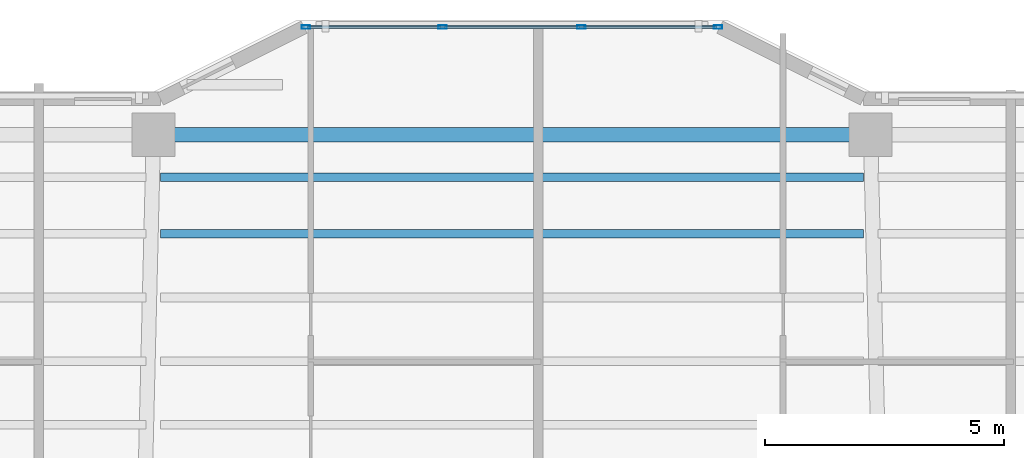
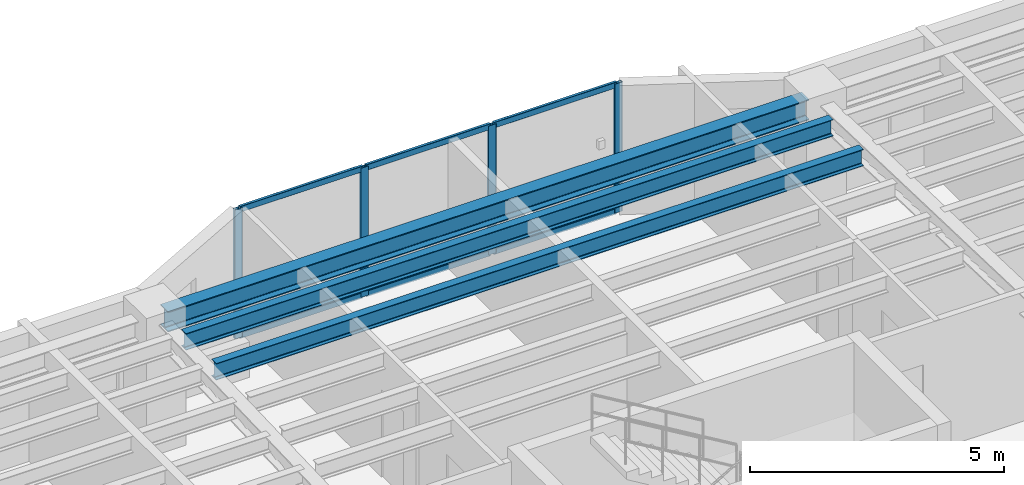
# One storey, part 4 of 17: 10 members, 3 beams, 1 element without a shape of its own.
"""IFC4 building model written with IfcOpenShell, lengths in metres."""

from ifc_helpers import new_model, si_unit, direction, frame, origin, origin_2d, place, context, subcontext, project, spatial, hollow_rectangle, i_section, extrude, material, layer, layer_set, material_profile, profile_set, type_object, element, aggregate, save


model = new_model("IFC4")

# Units and contexts
model_context = context("Model", 3, precision=1e-05, world=origin(), true_north=direction((0.0, 1.0)))
body_context = subcontext(model_context, "Body", "Model", "MODEL_VIEW")
ifc_project = project(units=[si_unit("LENGTHUNIT", "METRE"), si_unit("AREAUNIT", "SQUARE_METRE"), si_unit("VOLUMEUNIT", "CUBIC_METRE"), si_unit("PLANEANGLEUNIT", "RADIAN"), si_unit("MASSUNIT", "GRAM", prefix="KILO")], contexts=[model_context])

# Site, building, storey
site_placement = place(None, origin())
site = spatial("IfcSite", under=ifc_project, at=site_placement, CompositionType="ELEMENT")
building_placement = place(site_placement, origin())
building = spatial("IfcBuilding", under=site, at=building_placement, Name="Tarnavaz Court Tower", CompositionType="ELEMENT")
storey_placement = place(building_placement, frame((0.0, 0.0, 132.60009765625)))
storey = spatial("IfcBuildingStorey", under=building, at=storey_placement, Name="L35", CompositionType="ELEMENT", Elevation=132.60009765625)

# Beams
ifc_material_1 = material(Name="Steel S355", Category="steel")
ifc_material_profile_1 = material_profile(ifc_material_1, i_section(OverallWidth=0.179931640625, OverallDepth=0.39990234375, WebThickness=0.008544921875, FlangeThickness=0.013427734375, FilletRadius=0.02099609375, at=origin_2d()), Name="IPE 400")
ifc_profile_set_1 = profile_set([ifc_material_profile_1], Name="Steel S355")
beam_type_1 = type_object("IfcBeamType", Name="BM-J-IPE400", PredefinedType="JOIST", material=ifc_profile_set_1)
for number, where, z_axis, x_axis, name in (
    (1, (-7.35009765625, 18.327880859375, 2.89990234375), (1.0, 0.0, 0.0), (0.0, 1.0, 0.0), "L35 Beam JN4-2"),
    (2, (-7.35009765625, 19.511962890625, 2.89990234375), (1.0, 0.0, 0.0), (0.0, 1.0, 0.0), "L35 Beam JN5-2"),
):
    element("IfcBeam", number, at=place(storey_placement, frame(where, z_axis=z_axis, x_axis=x_axis)), inside=storey, type_object=beam_type_1, Name=name, PredefinedType="JOIST", context=body_context, shape_type="SweptSolid", body=[
        extrude(i_section(OverallWidth=0.179931640625, OverallDepth=0.39990234375, WebThickness=0.008544921875, FlangeThickness=0.013427734375, FilletRadius=0.02099609375, at=origin_2d()), origin(), (0.0, 0.0, 1.0), 14.7001953125),
    ])
ifc_material_profile_2 = material_profile(ifc_material_1, i_section(OverallWidth=0.300048828125, OverallDepth=0.489990234375, WebThickness=0.011962890625, FlangeThickness=0.02294921875, FilletRadius=0.027099609375, at=origin_2d()), Name="HEA 500")
ifc_profile_set_2 = profile_set([ifc_material_profile_2], Name="Steel S355")
beam_type_2 = type_object("IfcBeamType", Name="BM-SP-HEA500", PredefinedType="SPANDREL", material=ifc_profile_set_2)
beam_placement = place(storey_placement, frame((-7.280029296875, 20.39990234375, 2.85498046875), z_axis=(1.0, 0.0, 0.0), x_axis=(0.0, 1.0, 0.0)))
element("IfcBeam", 3, at=beam_placement, inside=storey, type_object=beam_type_2, Name="L35 Beam PR-PN-2-PN-3", PredefinedType="SPANDREL", context=body_context, shape_type="SweptSolid", body=[
    extrude(i_section(OverallWidth=0.300048828125, OverallDepth=0.489990234375, WebThickness=0.011962890625, FlangeThickness=0.02294921875, FilletRadius=0.027099609375, at=origin_2d()), origin(), (0.0, 0.0, 1.0), 14.56005859375),
])

# Curtain wall, members
ifc_material_2 = material(Name="Anodised Aluminium 6063-T6 and Solar Low-E Glazing", Category="aluminium")
ifc_layer = layer(ifc_material_2, 0.159912109375)
ifc_layer_set = layer_set([ifc_layer], Name="Anodised Aluminium 6063-T6 and Solar Low-E Glazing")
curtain_wall_type = type_object("IfcCurtainWallType", Name="CW-SYS-03", PredefinedType="NOTDEFINED", material=ifc_layer_set)
curtain_wall_placement = place(storey_placement, origin())
curtain_wall = element("IfcCurtainWall", 4, at=curtain_wall_placement, inside=storey, type_object=curtain_wall_type, Name="L35 Iwan Prow Curtain Wall 7", PredefinedType="NOTDEFINED")
ifc_material_3 = material(Name="Anodised Aluminium 6063-T6", Category="aluminium")
ifc_material_profile_3 = material_profile(ifc_material_3, hollow_rectangle(XDim=0.074951171875, YDim=0.179931640625, WallThickness=0.0048828125, InnerFilletRadius=0.0048828125, OuterFilletRadius=0.010009765625, at=origin_2d()), Name="ALU RHS 180X75X5")
ifc_profile_set_3 = profile_set([ifc_material_profile_3], Name="Anodised Aluminium 6063-T6")
member_type_1 = type_object("IfcMemberType", Name="CW-MUL-180", PredefinedType="MULLION", material=ifc_profile_set_3)
member_1_placement = place(storey_placement, frame((-4.3125, 22.64990234375, 0.0), z_axis=(0.0, 0.0, 1.0), x_axis=(0.0, 1.0, 0.0)))
member_1 = element("IfcMember", 5, at=member_1_placement, type_object=member_type_1, Name="CW mullion 1", PredefinedType="MULLION", context=body_context, shape_type="SweptSolid", body=[
    extrude(hollow_rectangle(XDim=0.074951171875, YDim=0.179931640625, WallThickness=0.0048828125, InnerFilletRadius=0.0048828125, OuterFilletRadius=0.010009765625, at=origin_2d()), origin(), (0.0, 0.0, 1.0), 3.099853515625),
])
member_2_placement = place(storey_placement, frame((-1.449951171875, 22.64990234375, 0.0), z_axis=(0.0, 0.0, 1.0), x_axis=(0.0, 1.0, 0.0)))
member_2 = element("IfcMember", 6, at=member_2_placement, type_object=member_type_1, Name="CW mullion 2", PredefinedType="MULLION", context=body_context, shape_type="SweptSolid", body=[
    extrude(hollow_rectangle(XDim=0.074951171875, YDim=0.179931640625, WallThickness=0.0048828125, InnerFilletRadius=0.0048828125, OuterFilletRadius=0.010009765625, at=origin_2d()), origin(), (0.0, 0.0, 1.0), 3.099853515625),
])
member_3_placement = place(storey_placement, frame((1.449951171875, 22.64990234375, 0.0), z_axis=(0.0, 0.0, 1.0), x_axis=(0.0, 1.0, 0.0)))
member_3 = element("IfcMember", 7, at=member_3_placement, type_object=member_type_1, Name="CW mullion 3", PredefinedType="MULLION", context=body_context, shape_type="SweptSolid", body=[
    extrude(hollow_rectangle(XDim=0.074951171875, YDim=0.179931640625, WallThickness=0.0048828125, InnerFilletRadius=0.0048828125, OuterFilletRadius=0.010009765625, at=origin_2d()), origin(), (0.0, 0.0, 1.0), 3.099853515625),
])
member_4_placement = place(storey_placement, frame((4.3125, 22.64990234375, 0.0), z_axis=(0.0, 0.0, 1.0), x_axis=(0.0, 1.0, 0.0)))
member_4 = element("IfcMember", 8, at=member_4_placement, type_object=member_type_1, Name="CW mullion 4", PredefinedType="MULLION", context=body_context, shape_type="SweptSolid", body=[
    extrude(hollow_rectangle(XDim=0.074951171875, YDim=0.179931640625, WallThickness=0.0048828125, InnerFilletRadius=0.0048828125, OuterFilletRadius=0.010009765625, at=origin_2d()), origin(), (0.0, 0.0, 1.0), 3.099853515625),
])
ifc_material_profile_4 = material_profile(ifc_material_3, hollow_rectangle(XDim=0.06494140625, YDim=0.139892578125, WallThickness=0.00390625, InnerFilletRadius=0.00390625, OuterFilletRadius=0.008056640625, at=origin_2d()), Name="ALU RHS 140X65X4")
ifc_profile_set_4 = profile_set([ifc_material_profile_4], Name="Anodised Aluminium 6063-T6")
member_type_2 = type_object("IfcMemberType", Name="CW-TRN-140", PredefinedType="USERDEFINED", material=ifc_profile_set_4)
member_5_placement = place(storey_placement, frame((-4.27490234375, 22.64990234375, 0.032470703125), z_axis=(1.0, 0.0, 0.0), x_axis=(0.0, 1.0, 0.0)))
member_5 = element("IfcMember", 9, at=member_5_placement, type_object=member_type_2, Name="CW transom 1.1", ObjectType="TRANSOM", PredefinedType="USERDEFINED", context=body_context, shape_type="SweptSolid", body=[
    extrude(hollow_rectangle(XDim=0.06494140625, YDim=0.139892578125, WallThickness=0.00390625, InnerFilletRadius=0.00390625, OuterFilletRadius=0.008056640625, at=origin_2d()), origin(), (0.0, 0.0, 1.0), 2.787353515625),
])
member_6_placement = place(storey_placement, frame((-4.27490234375, 22.64990234375, 3.0673828125), z_axis=(1.0, 0.0, 0.0), x_axis=(0.0, 1.0, 0.0)))
member_6 = element("IfcMember", 10, at=member_6_placement, type_object=member_type_2, Name="CW transom 1.2", ObjectType="TRANSOM", PredefinedType="USERDEFINED", context=body_context, shape_type="SweptSolid", body=[
    extrude(hollow_rectangle(XDim=0.06494140625, YDim=0.139892578125, WallThickness=0.00390625, InnerFilletRadius=0.00390625, OuterFilletRadius=0.008056640625, at=origin_2d()), origin(), (0.0, 0.0, 1.0), 2.787353515625),
])
member_7_placement = place(storey_placement, frame((-1.41259765625, 22.64990234375, 0.032470703125), z_axis=(1.0, 0.0, 0.0), x_axis=(0.0, 1.0, 0.0)))
member_7 = element("IfcMember", 11, at=member_7_placement, type_object=member_type_2, Name="CW transom 2.1", ObjectType="TRANSOM", PredefinedType="USERDEFINED", context=body_context, shape_type="SweptSolid", body=[
    extrude(hollow_rectangle(XDim=0.06494140625, YDim=0.139892578125, WallThickness=0.00390625, InnerFilletRadius=0.00390625, OuterFilletRadius=0.008056640625, at=origin_2d()), origin(), (0.0, 0.0, 1.0), 2.8251953125),
])
member_8_placement = place(storey_placement, frame((-1.41259765625, 22.64990234375, 3.0673828125), z_axis=(1.0, 0.0, 0.0), x_axis=(0.0, 1.0, 0.0)))
member_8 = element("IfcMember", 12, at=member_8_placement, type_object=member_type_2, Name="CW transom 2.2", ObjectType="TRANSOM", PredefinedType="USERDEFINED", context=body_context, shape_type="SweptSolid", body=[
    extrude(hollow_rectangle(XDim=0.06494140625, YDim=0.139892578125, WallThickness=0.00390625, InnerFilletRadius=0.00390625, OuterFilletRadius=0.008056640625, at=origin_2d()), origin(), (0.0, 0.0, 1.0), 2.8251953125),
])
member_9_placement = place(storey_placement, frame((1.487548828125, 22.64990234375, 0.032470703125), z_axis=(1.0, 0.0, 0.0), x_axis=(0.0, 1.0, 0.0)))
member_9 = element("IfcMember", 13, at=member_9_placement, type_object=member_type_2, Name="CW transom 3.1", ObjectType="TRANSOM", PredefinedType="USERDEFINED", context=body_context, shape_type="SweptSolid", body=[
    extrude(hollow_rectangle(XDim=0.06494140625, YDim=0.139892578125, WallThickness=0.00390625, InnerFilletRadius=0.00390625, OuterFilletRadius=0.008056640625, at=origin_2d()), origin(), (0.0, 0.0, 1.0), 2.787353515625),
])
member_10_placement = place(storey_placement, frame((1.487548828125, 22.64990234375, 3.0673828125), z_axis=(1.0, 0.0, 0.0), x_axis=(0.0, 1.0, 0.0)))
member_10 = element("IfcMember", 14, at=member_10_placement, type_object=member_type_2, Name="CW transom 3.2", ObjectType="TRANSOM", PredefinedType="USERDEFINED", context=body_context, shape_type="SweptSolid", body=[
    extrude(hollow_rectangle(XDim=0.06494140625, YDim=0.139892578125, WallThickness=0.00390625, InnerFilletRadius=0.00390625, OuterFilletRadius=0.008056640625, at=origin_2d()), origin(), (0.0, 0.0, 1.0), 2.787353515625),
])
aggregate(curtain_wall, [member_1, member_2, member_3, member_4, member_5, member_6, member_7, member_8, member_9, member_10])

save(model, "model.ifc")
